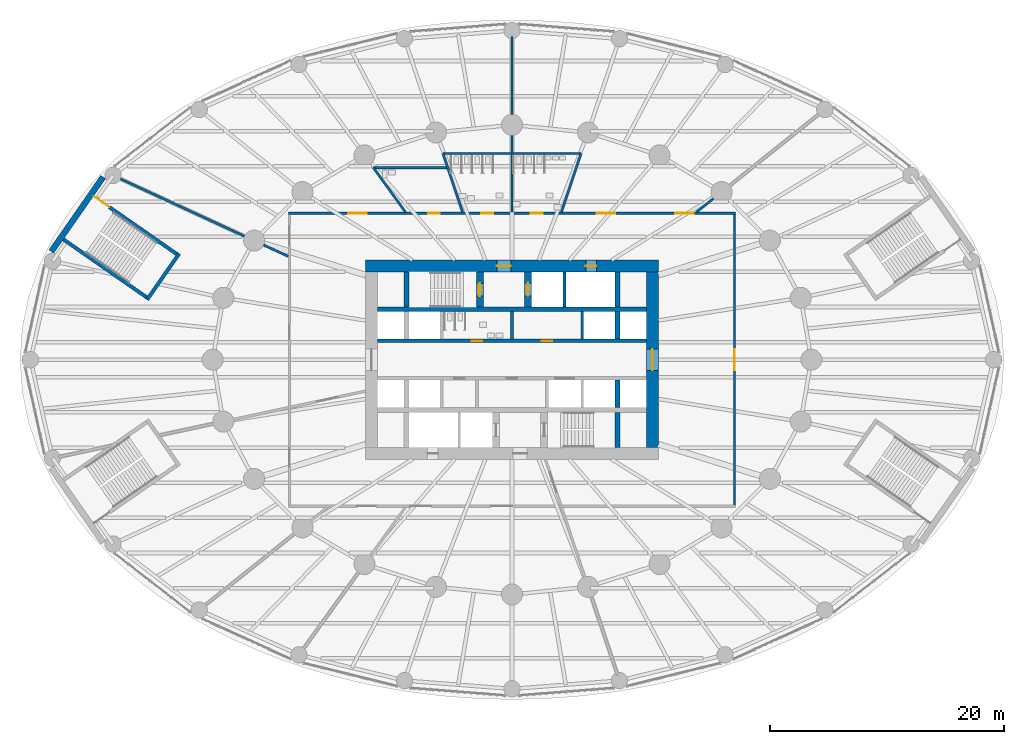
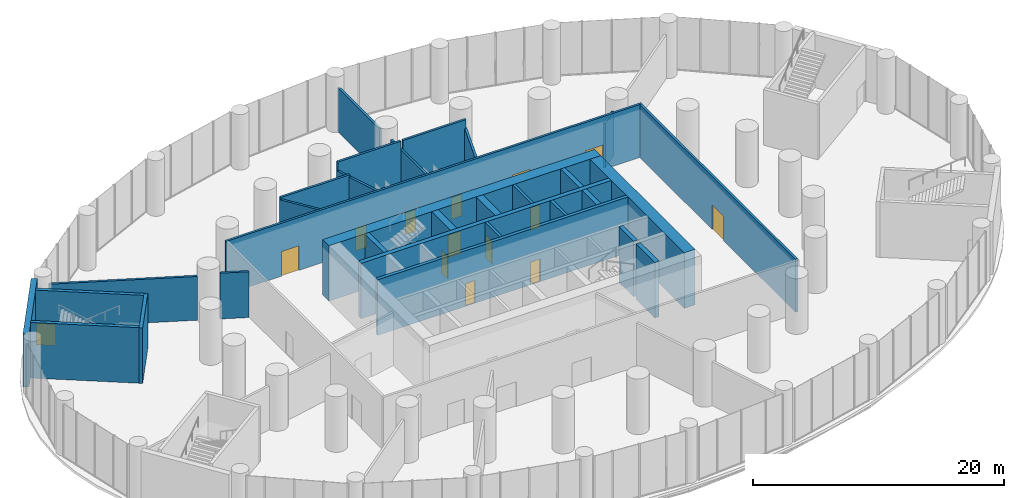
# One storey, part 17 of 21: 31 walls, 15 doors, 15 openings.
"""IFC4 building model written with IfcOpenShell, lengths in metres."""

from ifc_helpers import new_model, si_unit, direction, frame, frame_2d, origin, place, context, subcontext, project, spatial, rectangle, extrude, material, layer, layer_set, type_object, element, fill, save


model = new_model("IFC4")

# Units and contexts
model_context = context("Model", 3, precision=1e-05, world=origin(), true_north=direction((0.0, 1.0)))
body_context = subcontext(model_context, "Body", "Model", "MODEL_VIEW")
ifc_project = project(units=[si_unit("LENGTHUNIT", "METRE"), si_unit("AREAUNIT", "SQUARE_METRE"), si_unit("VOLUMEUNIT", "CUBIC_METRE"), si_unit("PLANEANGLEUNIT", "RADIAN"), si_unit("MASSUNIT", "GRAM", prefix="KILO")], contexts=[model_context])

# Site, building, storey
site_placement = place(None, origin())
site = spatial("IfcSite", under=ifc_project, at=site_placement, CompositionType="ELEMENT")
building_placement = place(site_placement, origin())
building = spatial("IfcBuilding", under=site, at=building_placement, Name="Hankou Lantern Tower", CompositionType="ELEMENT")
storey_placement = place(building_placement, frame((0.0, 0.0, 13.800048828125)))
storey = spatial("IfcBuildingStorey", under=building, at=storey_placement, Name="L02", CompositionType="ELEMENT", Elevation=13.800048828125)

# Wall, openings, doors
ifc_material_1 = material(Name="Concrete C60", Category="concrete")
ifc_layer_1 = layer(ifc_material_1, 1.0)
ifc_layer_set_1 = layer_set([ifc_layer_1], Name="Concrete C60")
wall_type_1 = type_object("IfcWallType", Name="CW1 CORE WALL 1000", PredefinedType="SHEAR", material=ifc_layer_set_1)
wall_1_placement = place(storey_placement, frame((-12.5, 8.0, 0.0), z_axis=(0.0, 0.0, 1.0), x_axis=(1.0, 0.0, 0.0)))
wall_1 = element("IfcWall", 1, at=wall_1_placement, inside=storey, type_object=wall_type_1, Name="Core wall north L02", PredefinedType="SHEAR", context=body_context, shape_type="SweptSolid", body=[
    extrude(rectangle(XDim=25.0, YDim=1.0, at=frame_2d((12.5, 0.0))), origin(), (0.0, 0.0, 1.0), 5.39990234375),
])
opening_1_placement = place(wall_1_placement, frame((11.199951171875, 0.0, 0.0)))
opening_1 = element("IfcOpeningElement", 2, at=opening_1_placement, cuts=wall_1, Name="Opening D5", PredefinedType="OPENING", context=body_context, shape_type="SweptSolid", body=[
    extrude(rectangle(XDim=1.199951171875, YDim=2.199951171875, at=frame_2d((0.60009765625, 1.10009765625))), frame((0.0, 0.510009765625, 0.0), z_axis=(0.0, -1.0, 0.0), x_axis=(1.0, 0.0, 0.0)), (0.0, 0.0, 1.0), 1.02001953125),
])
opening_2_placement = place(wall_1_placement, frame((18.800048828125, 0.0, 0.0)))
opening_2 = element("IfcOpeningElement", 3, at=opening_2_placement, cuts=wall_1, Name="Opening D7", PredefinedType="OPENING", context=body_context, shape_type="SweptSolid", body=[
    extrude(rectangle(XDim=0.89990234375, YDim=2.199951171875, at=frame_2d((0.449951171875, 1.10009765625))), frame((0.0, 0.510009765625, 0.0), z_axis=(0.0, -1.0, 0.0), x_axis=(1.0, 0.0, 0.0)), (0.0, 0.0, 1.0), 1.02001953125),
])
ifc_material_2 = material(Name="Steel door leaf", Category="steel")
door_type_1 = type_object("IfcDoorType", Name="D5 STAIR LOBBY DOOR 1200X2200", OperationType="SINGLE_SWING_LEFT", PredefinedType="DOOR", material=ifc_material_2)
door_1_placement = place(opening_1_placement, origin())
door_1 = element("IfcDoor", 4, at=door_1_placement, inside=storey, type_object=door_type_1, Name="Stair A lobby door", OperationType="SINGLE_SWING_LEFT", OverallHeight=2.199951171875, OverallWidth=1.199951171875, PredefinedType="DOOR", context=body_context, shape_type="SweptSolid", body=[
    extrude(rectangle(XDim=1.199951171875, YDim=2.199951171875, at=frame_2d((0.60009765625, 1.10009765625))), frame((0.0, 0.02490234375, 0.0), z_axis=(0.0, -1.0, 0.0), x_axis=(1.0, 0.0, 0.0)), (0.0, 0.0, 1.0), 0.050048828125),
])
fill(opening_1, door_1)
ifc_material_3 = material(Name="Steel door leaf", Category="steel")
door_type_2 = type_object("IfcDoorType", Name="D7 RISER DOOR 900X2200", OperationType="SINGLE_SWING_LEFT", PredefinedType="DOOR", material=ifc_material_3)
door_2_placement = place(opening_2_placement, origin())
door_2 = element("IfcDoor", 5, at=door_2_placement, inside=storey, type_object=door_type_2, Name="Riser N1 door", OperationType="SINGLE_SWING_RIGHT", OverallHeight=2.199951171875, OverallWidth=0.89990234375, PredefinedType="DOOR", context=body_context, shape_type="SweptSolid", body=[
    extrude(rectangle(XDim=0.89990234375, YDim=2.199951171875, at=frame_2d((0.449951171875, 1.10009765625))), frame((0.0, 0.02490234375, 0.0), z_axis=(0.0, -1.0, 0.0), x_axis=(1.0, 0.0, 0.0)), (0.0, 0.0, 1.0), 0.050048828125),
])
fill(opening_2, door_2)

# Wall, opening, door
wall_2_placement = place(storey_placement, frame((12.0, -7.5, 0.0), z_axis=(0.0, 0.0, 1.0), x_axis=(0.0, 1.0, 0.0)))
wall_2 = element("IfcWall", 6, at=wall_2_placement, inside=storey, type_object=wall_type_1, Name="Core wall east L02", PredefinedType="SHEAR", context=body_context, shape_type="SweptSolid", body=[
    extrude(rectangle(XDim=15.0, YDim=1.0, at=frame_2d((7.5, 0.0))), origin(), (0.0, 0.0, 1.0), 5.39990234375),
])
opening_3_placement = place(wall_2_placement, frame((6.60009765625, 0.0, 0.0)))
opening_3 = element("IfcOpeningElement", 7, at=opening_3_placement, cuts=wall_2, Name="Opening D6", PredefinedType="OPENING", context=body_context, shape_type="SweptSolid", body=[
    extrude(rectangle(XDim=1.800048828125, YDim=2.199951171875, at=frame_2d((0.89990234375, 1.10009765625))), frame((0.0, 0.510009765625, 0.0), z_axis=(0.0, -1.0, 0.0), x_axis=(1.0, 0.0, 0.0)), (0.0, 0.0, 1.0), 1.02001953125),
])
ifc_material_4 = material(Name="Steel door leaf", Category="steel")
door_type_3 = type_object("IfcDoorType", Name="D6 LIFT LOBBY DOOR 1800X2200", OperationType="DOUBLE_DOOR_DOUBLE_SWING", PredefinedType="DOOR", material=ifc_material_4)
door_3_placement = place(opening_3_placement, origin())
door_3 = element("IfcDoor", 8, at=door_3_placement, inside=storey, type_object=door_type_3, Name="Lift lobby east door", OperationType="DOUBLE_DOOR_DOUBLE_SWING", OverallHeight=2.199951171875, OverallWidth=1.800048828125, PredefinedType="DOOR", context=body_context, shape_type="SweptSolid", body=[
    extrude(rectangle(XDim=1.800048828125, YDim=2.199951171875, at=frame_2d((0.89990234375, 1.10009765625))), frame((0.0, 0.02490234375, 0.0), z_axis=(0.0, -1.0, 0.0), x_axis=(1.0, 0.0, 0.0)), (0.0, 0.0, 1.0), 0.050048828125),
])
fill(opening_3, door_3)

# Walls
ifc_material_5 = material(Name="Concrete C60", Category="concrete")
ifc_layer_2 = layer(ifc_material_5, 0.39990234375)
ifc_layer_set_2 = layer_set([ifc_layer_2], Name="Concrete C60")
wall_type_2 = type_object("IfcWallType", Name="CW4 CORE CROSS WALL 400", PredefinedType="SHEAR", material=ifc_layer_set_2)
wall_3_placement = place(storey_placement, frame((-11.5, 4.300048828125, 0.0), z_axis=(0.0, 0.0, 1.0), x_axis=(1.0, 0.0, 0.0)))
element("IfcWall", 9, at=wall_3_placement, inside=storey, type_object=wall_type_2, Name="Core band wall north L02", PredefinedType="SHEAR", context=body_context, shape_type="SweptSolid", body=[
    extrude(rectangle(XDim=23.0, YDim=0.39990234375, at=frame_2d((11.5, 0.0))), origin(), (0.0, 0.0, 1.0), 5.39990234375),
])
for number, where, z_axis, x_axis, name in (
    (10, (-9.0, 4.5, 0.0), (0.0, 0.0, 1.0), (0.0, 1.0, 0.0), "Core strip wall L02"),
    (11, (9.0, 4.5, 0.0), (0.0, 0.0, 1.0), (0.0, 1.0, 0.0), "Core strip wall L02"),
):
    element("IfcWall", number, at=place(storey_placement, frame(where, z_axis=z_axis, x_axis=x_axis)), inside=storey, type_object=wall_type_2, Name=name, PredefinedType="SHEAR", context=body_context, shape_type="SweptSolid", body=[
        extrude(rectangle(XDim=3.0, YDim=0.39990234375, at=frame_2d((1.5, 0.0))), origin(), (0.0, 0.0, 1.0), 5.39990234375),
    ])
for number, where, z_axis, x_axis, name in (
    (12, (9.0, 1.75, 0.0), (0.0, 0.0, 1.0), (0.0, 1.0, 0.0), "Core strip wall L02"),
    (13, (9.0, -4.10009765625, 0.0), (0.0, 0.0, 1.0), (0.0, 1.0, 0.0), "Core strip wall L02"),
):
    element("IfcWall", number, at=place(storey_placement, frame(where, z_axis=z_axis, x_axis=x_axis)), inside=storey, type_object=wall_type_2, Name=name, PredefinedType="SHEAR", context=body_context, shape_type="SweptSolid", body=[
        extrude(rectangle(XDim=2.35009765625, YDim=0.39990234375, at=frame_2d((1.175048828125, 0.0))), origin(), (0.0, 0.0, 1.0), 5.39990234375),
    ])
wall_4_placement = place(storey_placement, frame((9.0, -7.5, 0.0), z_axis=(0.0, 0.0, 1.0), x_axis=(0.0, 1.0, 0.0)))
element("IfcWall", 14, at=wall_4_placement, inside=storey, type_object=wall_type_2, Name="Core strip wall L02", PredefinedType="SHEAR", context=body_context, shape_type="SweptSolid", body=[
    extrude(rectangle(XDim=3.0, YDim=0.39990234375, at=frame_2d((1.5, 0.0))), origin(), (0.0, 0.0, 1.0), 5.39990234375),
])

# Wall, openings, doors
ifc_material_6 = material(Name="Concrete C60", Category="concrete")
ifc_layer_3 = layer(ifc_material_6, 0.300048828125)
ifc_layer_set_3 = layer_set([ifc_layer_3], Name="Concrete C60")
wall_type_3 = type_object("IfcWallType", Name="CW5 LIFT LOBBY WALL 300", PredefinedType="SHEAR", material=ifc_layer_set_3)
wall_5_placement = place(storey_placement, frame((-11.5, 1.60009765625, 0.0), z_axis=(0.0, 0.0, 1.0), x_axis=(1.0, 0.0, 0.0)))
wall_5 = element("IfcWall", 15, at=wall_5_placement, inside=storey, type_object=wall_type_3, Name="Lift lobby wall north L02", PredefinedType="SHEAR", context=body_context, shape_type="SweptSolid", body=[
    extrude(rectangle(XDim=23.0, YDim=0.300048828125, at=frame_2d((11.5, 0.0))), origin(), (0.0, 0.0, 1.0), 5.39990234375),
])
opening_4_placement = place(wall_5_placement, frame((8.050048828125, 0.0, 0.0)))
opening_4 = element("IfcOpeningElement", 16, at=opening_4_placement, cuts=wall_5, Name="Opening D30", PredefinedType="OPENING", context=body_context, shape_type="SweptSolid", body=[
    extrude(rectangle(XDim=0.89990234375, YDim=2.199951171875, at=frame_2d((0.449951171875, 1.10009765625))), frame((0.0, 0.159912109375, 0.0), z_axis=(0.0, -1.0, 0.0), x_axis=(1.0, 0.0, 0.0)), (0.0, 0.0, 1.0), 0.320068359375),
])
opening_5_placement = place(wall_5_placement, frame((14.050048828125, 0.0, 0.0)))
opening_5 = element("IfcOpeningElement", 17, at=opening_5_placement, cuts=wall_5, Name="Opening D30", PredefinedType="OPENING", context=body_context, shape_type="SweptSolid", body=[
    extrude(rectangle(XDim=0.89990234375, YDim=2.199951171875, at=frame_2d((0.449951171875, 1.10009765625))), frame((0.0, 0.159912109375, 0.0), z_axis=(0.0, -1.0, 0.0), x_axis=(1.0, 0.0, 0.0)), (0.0, 0.0, 1.0), 0.320068359375),
])
ifc_material_7 = material(Name="Steel door leaf", Category="steel")
door_type_4 = type_object("IfcDoorType", Name="D30 CORE ROOM DOOR 900X2200", OperationType="SINGLE_SWING_LEFT", PredefinedType="DOOR", material=ifc_material_7)
door_4_placement = place(opening_4_placement, origin())
door_4 = element("IfcDoor", 18, at=door_4_placement, inside=storey, type_object=door_type_4, Name="Staff WC door", OperationType="SINGLE_SWING_LEFT", OverallHeight=2.199951171875, OverallWidth=0.89990234375, PredefinedType="DOOR", context=body_context, shape_type="SweptSolid", body=[
    extrude(rectangle(XDim=0.89990234375, YDim=2.199951171875, at=frame_2d((0.449951171875, 1.10009765625))), frame((0.0, 0.02490234375, 0.0), z_axis=(0.0, -1.0, 0.0), x_axis=(1.0, 0.0, 0.0)), (0.0, 0.0, 1.0), 0.050048828125),
])
fill(opening_4, door_4)
door_5_placement = place(opening_5_placement, origin())
door_5 = element("IfcDoor", 19, at=door_5_placement, inside=storey, type_object=door_type_4, Name="Engineering store door", OperationType="SINGLE_SWING_RIGHT", OverallHeight=2.199951171875, OverallWidth=0.89990234375, PredefinedType="DOOR", context=body_context, shape_type="SweptSolid", body=[
    extrude(rectangle(XDim=0.89990234375, YDim=2.199951171875, at=frame_2d((0.449951171875, 1.10009765625))), frame((0.0, 0.02490234375, 0.0), z_axis=(0.0, -1.0, 0.0), x_axis=(1.0, 0.0, 0.0)), (0.0, 0.0, 1.0), 0.050048828125),
])
fill(opening_5, door_5)

# Wall, opening, door
ifc_material_8 = material(Name="Concrete C60", Category="concrete")
ifc_layer_4 = layer(ifc_material_8, 0.60009765625)
ifc_layer_set_4 = layer_set([ifc_layer_4], Name="Concrete C60")
wall_type_4 = type_object("IfcWallType", Name="CW6 STAIR AND SHAFT WALL 600", PredefinedType="SHEAR", material=ifc_layer_set_4)
wall_6_placement = place(storey_placement, frame((-2.75, 4.5, 0.0), z_axis=(0.0, 0.0, 1.0), x_axis=(0.0, 1.0, 0.0)))
wall_6 = element("IfcWall", 20, at=wall_6_placement, inside=storey, type_object=wall_type_4, Name="Stair wall L02", PredefinedType="SHEAR", context=body_context, shape_type="SweptSolid", body=[
    extrude(rectangle(XDim=3.0, YDim=0.60009765625, at=frame_2d((1.5, 0.0))), origin(), (0.0, 0.0, 1.0), 5.39990234375),
])
opening_6_placement = place(wall_6_placement, frame((0.925048828125, 0.0, 0.0)))
opening_6 = element("IfcOpeningElement", 21, at=opening_6_placement, cuts=wall_6, Name="Opening D4", PredefinedType="OPENING", context=body_context, shape_type="SweptSolid", body=[
    extrude(rectangle(XDim=1.10009765625, YDim=2.199951171875, at=frame_2d((0.550048828125, 1.10009765625))), frame((0.0, 0.31005859375, 0.0), z_axis=(0.0, -1.0, 0.0), x_axis=(1.0, 0.0, 0.0)), (0.0, 0.0, 1.0), 0.6201171875),
])
ifc_material_9 = material(Name="Steel door leaf", Category="steel")
door_type_5 = type_object("IfcDoorType", Name="D4 STAIR DOOR 1100X2200", OperationType="SINGLE_SWING_LEFT", PredefinedType="DOOR", material=ifc_material_9)
door_6_placement = place(opening_6_placement, origin())
door_6 = element("IfcDoor", 22, at=door_6_placement, inside=storey, type_object=door_type_5, Name="Stair A door", OperationType="SINGLE_SWING_LEFT", OverallHeight=2.199951171875, OverallWidth=1.10009765625, PredefinedType="DOOR", context=body_context, shape_type="SweptSolid", body=[
    extrude(rectangle(XDim=1.10009765625, YDim=2.199951171875, at=frame_2d((0.550048828125, 1.10009765625))), frame((0.0, 0.02490234375, 0.0), z_axis=(0.0, -1.0, 0.0), x_axis=(1.0, 0.0, 0.0)), (0.0, 0.0, 1.0), 0.050048828125),
])
fill(opening_6, door_6)

wall_7_placement = place(storey_placement, frame((1.35009765625, 4.5, 0.0), z_axis=(0.0, 0.0, 1.0), x_axis=(0.0, 1.0, 0.0)))
wall_7 = element("IfcWall", 23, at=wall_7_placement, inside=storey, type_object=wall_type_4, Name="Firefighting lift shaft wall L02", PredefinedType="SHEAR", context=body_context, shape_type="SweptSolid", body=[
    extrude(rectangle(XDim=3.0, YDim=0.60009765625, at=frame_2d((1.5, 0.0))), origin(), (0.0, 0.0, 1.0), 5.39990234375),
])
opening_7_placement = place(wall_7_placement, frame((0.949951171875, 0.0, 0.0)))
opening_7 = element("IfcOpeningElement", 24, at=opening_7_placement, cuts=wall_7, Name="Opening LD2", PredefinedType="OPENING", context=body_context, shape_type="SweptSolid", body=[
    extrude(rectangle(XDim=1.10009765625, YDim=2.199951171875, at=frame_2d((0.550048828125, 1.10009765625))), frame((0.0, 0.31005859375, 0.0), z_axis=(0.0, -1.0, 0.0), x_axis=(1.0, 0.0, 0.0)), (0.0, 0.0, 1.0), 0.6201171875),
])
ifc_material_10 = material(Name="Steel door leaf", Category="steel")
door_type_6 = type_object("IfcDoorType", Name="LD2 FIREFIGHTING LIFT LANDING DOOR 1100X2200", OperationType="DOUBLE_DOOR_SLIDING", PredefinedType="DOOR", material=ifc_material_10)
door_7_placement = place(opening_7_placement, origin())
door_7 = element("IfcDoor", 25, at=door_7_placement, inside=storey, type_object=door_type_6, Name="Firefighting lift FL1 landing door", OperationType="DOUBLE_DOOR_SLIDING", OverallHeight=2.199951171875, OverallWidth=1.10009765625, PredefinedType="DOOR", context=body_context, shape_type="SweptSolid", body=[
    extrude(rectangle(XDim=1.10009765625, YDim=2.199951171875, at=frame_2d((0.550048828125, 1.10009765625))), frame((0.0, 0.02490234375, 0.0), z_axis=(0.0, -1.0, 0.0), x_axis=(1.0, 0.0, 0.0)), (0.0, 0.0, 1.0), 0.050048828125),
])
fill(opening_7, door_7)

ifc_material_11 = material(Name="Concrete C50", Category="concrete")
ifc_layer_5 = layer(ifc_material_11, 0.300048828125)
ifc_layer_set_5 = layer_set([ifc_layer_5], Name="Concrete C50")
wall_type_5 = type_object("IfcWallType", Name="CW7 PODIUM STAIR WALL 300", PredefinedType="SHEAR", material=ifc_layer_set_5)
wall_8_placement = place(storey_placement, frame((-35.7294921875, 13.968017578125, 0.0), z_axis=(0.0, 0.0, 1.0), x_axis=(0.82092761123, -0.571032273274, 0.0)))
wall_8 = element("IfcWall", 26, at=wall_8_placement, inside=storey, type_object=wall_type_5, Name="Podium stair P2 wall", PredefinedType="SHEAR", context=body_context, shape_type="SweptSolid", body=[
    extrude(rectangle(XDim=8.659912109375, YDim=0.300048828125, at=frame_2d((4.330078125, 0.0))), origin(), (0.0, 0.0, 1.0), 5.39990234375),
])
opening_8_placement = place(wall_8_placement, frame((0.050048828125, 0.0, 0.0)))
opening_8 = element("IfcOpeningElement", 27, at=opening_8_placement, cuts=wall_8, Name="Opening D16", PredefinedType="OPENING", context=body_context, shape_type="SweptSolid", body=[
    extrude(rectangle(XDim=1.60009765625, YDim=2.10009765625, at=frame_2d((0.800048828125, 1.050048828125))), frame((0.0, 0.159912109375, 0.0), z_axis=(0.0, -1.0, 0.0), x_axis=(1.0, 0.0, 0.0)), (0.0, 0.0, 1.0), 0.320068359375),
])
ifc_material_12 = material(Name="Steel door leaf", Category="steel")
door_type_7 = type_object("IfcDoorType", Name="D16 PODIUM STAIR DOOR 1600X2100", OperationType="SINGLE_SWING_LEFT", PredefinedType="DOOR", material=ifc_material_12)
door_8_placement = place(opening_8_placement, origin())
door_8 = element("IfcDoor", 28, at=door_8_placement, inside=storey, type_object=door_type_7, Name="Podium stair P2 door", OperationType="SINGLE_SWING_LEFT", OverallHeight=2.10009765625, OverallWidth=1.60009765625, PredefinedType="DOOR", context=body_context, shape_type="SweptSolid", body=[
    extrude(rectangle(XDim=1.60009765625, YDim=2.10009765625, at=frame_2d((0.800048828125, 1.050048828125))), frame((0.0, 0.02490234375, 0.0), z_axis=(0.0, -1.0, 0.0), x_axis=(1.0, 0.0, 0.0)), (0.0, 0.0, 1.0), 0.050048828125),
])
fill(opening_8, door_8)

# Walls
wall_9_placement = place(storey_placement, frame((-38.29931640625, 10.273681640625, 0.0), z_axis=(0.0, 0.0, 1.0), x_axis=(0.820936803751, -0.571019057692, 0.0)))
element("IfcWall", 29, at=wall_9_placement, inside=storey, type_object=wall_type_5, Name="Podium stair P2 wall", PredefinedType="SHEAR", context=body_context, shape_type="SweptSolid", body=[
    extrude(rectangle(XDim=8.66015625, YDim=0.300048828125, at=frame_2d((4.330078125, 0.0))), origin(), (0.0, 0.0, 1.0), 5.39990234375),
])
wall_10_placement = place(storey_placement, frame((-28.41162109375, 9.060302734375, 0.0), z_axis=(0.0, 0.0, 1.0), x_axis=(-0.571036173178, -0.820924898467, 0.0)))
element("IfcWall", 30, at=wall_10_placement, inside=storey, type_object=wall_type_5, Name="Podium stair P2 wall", PredefinedType="SHEAR", context=body_context, shape_type="SweptSolid", body=[
    extrude(rectangle(XDim=4.800048828125, YDim=0.300048828125, at=frame_2d((2.39990234375, 0.0))), origin(), (0.0, 0.0, 1.0), 5.39990234375),
])
ifc_material_13 = material(Name="Granite cladding on reinforced concrete C50", Category="masonry")
ifc_layer_6 = layer(ifc_material_13, 0.5)
ifc_layer_set_6 = layer_set([ifc_layer_6], Name="Granite cladding on reinforced concrete C50")
wall_type_6 = type_object("IfcWallType", Name="EW2 STONE PORTAL WALL 500", PredefinedType="SOLIDWALL", material=ifc_layer_set_6)
wall_11_placement = place(storey_placement, frame((-34.90478515625, 15.591552734375, 0.0), z_axis=(0.0, 0.0, 1.0), x_axis=(-0.571029335057, -0.820929655028, 0.0)))
element("IfcWall", 31, at=wall_11_placement, inside=storey, type_object=wall_type_6, Name="Portal wall R11 L02", PredefinedType="SOLIDWALL", context=body_context, shape_type="SweptSolid", body=[
    extrude(rectangle(XDim=7.732666015625, YDim=0.5, at=frame_2d((3.8662109375, 0.0))), origin(), (0.0, 0.0, 1.0), 5.14990234375),
])

# Wall, openings, doors
ifc_material_14 = material(Name="Masonry lightweight concrete block", Category="masonry")
ifc_layer_7 = layer(ifc_material_14, 0.199951171875)
ifc_layer_set_7 = layer_set([ifc_layer_7], Name="Masonry lightweight concrete block")
wall_type_7 = type_object("IfcWallType", Name="IW2 CORRIDOR WALL 200", PredefinedType="PARTITIONING", material=ifc_layer_set_7)
wall_12_placement = place(storey_placement, frame((-19.10009765625, 12.5, 0.0), z_axis=(0.0, 0.0, 1.0), x_axis=(1.0, 0.0, 0.0)))
wall_12 = element("IfcWall", 32, at=wall_12_placement, inside=storey, type_object=wall_type_7, Name="Foyer wall north", PredefinedType="PARTITIONING", context=body_context, shape_type="SweptSolid", body=[
    extrude(rectangle(XDim=38.2001953125, YDim=0.199951171875, at=frame_2d((19.10009765625, 0.0))), origin(), (0.0, 0.0, 1.0), 5.14990234375),
])
opening_9_placement = place(wall_12_placement, frame((26.3203125, 0.0, 0.0)))
opening_9 = element("IfcOpeningElement", 33, at=opening_9_placement, cuts=wall_12, Name="Opening D29", PredefinedType="OPENING", context=body_context, shape_type="SweptSolid", body=[
    extrude(rectangle(XDim=1.60009765625, YDim=2.39990234375, at=frame_2d((0.800048828125, 1.199951171875))), frame((0.0, 0.10986328125, 0.0), z_axis=(0.0, -1.0, 0.0), x_axis=(1.0, 0.0, 0.0)), (0.0, 0.0, 1.0), 0.219970703125),
])
opening_10_placement = place(wall_12_placement, frame((20.710205078125, 0.0, 0.0)))
opening_10 = element("IfcOpeningElement", 34, at=opening_10_placement, cuts=wall_12, Name="Opening D22", PredefinedType="OPENING", context=body_context, shape_type="SweptSolid", body=[
    extrude(rectangle(XDim=1.0, YDim=2.10009765625, at=frame_2d((0.5, 1.050048828125))), frame((0.0, 0.10986328125, 0.0), z_axis=(0.0, -1.0, 0.0), x_axis=(1.0, 0.0, 0.0)), (0.0, 0.0, 1.0), 0.219970703125),
])
opening_11_placement = place(wall_12_placement, frame((16.489990234375, 0.0, 0.0)))
opening_11 = element("IfcOpeningElement", 35, at=opening_11_placement, cuts=wall_12, Name="Opening D22", PredefinedType="OPENING", context=body_context, shape_type="SweptSolid", body=[
    extrude(rectangle(XDim=1.0, YDim=2.10009765625, at=frame_2d((0.5, 1.050048828125))), frame((0.0, 0.10986328125, 0.0), z_axis=(0.0, -1.0, 0.0), x_axis=(1.0, 0.0, 0.0)), (0.0, 0.0, 1.0), 0.219970703125),
])
opening_12_placement = place(wall_12_placement, frame((11.943359375, 0.0, 0.0)))
opening_12 = element("IfcOpeningElement", 36, at=opening_12_placement, cuts=wall_12, Name="Opening D11", PredefinedType="OPENING", context=body_context, shape_type="SweptSolid", body=[
    extrude(rectangle(XDim=1.0, YDim=2.199951171875, at=frame_2d((0.5, 1.10009765625))), frame((0.0, 0.10986328125, 0.0), z_axis=(0.0, -1.0, 0.0), x_axis=(1.0, 0.0, 0.0)), (0.0, 0.0, 1.0), 0.219970703125),
])
opening_13_placement = place(wall_12_placement, frame((5.10009765625, 0.0, 0.0)))
opening_13 = element("IfcOpeningElement", 37, at=opening_13_placement, cuts=wall_12, Name="Opening D29", PredefinedType="OPENING", context=body_context, shape_type="SweptSolid", body=[
    extrude(rectangle(XDim=1.60009765625, YDim=2.39990234375, at=frame_2d((0.800048828125, 1.199951171875))), frame((0.0, 0.10986328125, 0.0), z_axis=(0.0, -1.0, 0.0), x_axis=(1.0, 0.0, 0.0)), (0.0, 0.0, 1.0), 0.219970703125),
])
opening_14_placement = place(wall_12_placement, frame((33.020263671875, 0.0, 0.0)))
opening_14 = element("IfcOpeningElement", 38, at=opening_14_placement, cuts=wall_12, Name="Opening D29", PredefinedType="OPENING", context=body_context, shape_type="SweptSolid", body=[
    extrude(rectangle(XDim=1.60009765625, YDim=2.39990234375, at=frame_2d((0.800048828125, 1.199951171875))), frame((0.0, 0.10986328125, 0.0), z_axis=(0.0, -1.0, 0.0), x_axis=(1.0, 0.0, 0.0)), (0.0, 0.0, 1.0), 0.219970703125),
])
ifc_material_15 = material(Name="Timber door leaf", Category="wood")
door_type_8 = type_object("IfcDoorType", Name="D11 ACCESSIBLE WC DOOR 1000X2200", OperationType="SLIDING_TO_LEFT", PredefinedType="DOOR", material=ifc_material_15)
door_9_placement = place(opening_12_placement, origin())
door_9 = element("IfcDoor", 39, at=door_9_placement, inside=storey, type_object=door_type_8, Name="Accessible WC door", OperationType="SLIDING_TO_LEFT", OverallHeight=2.199951171875, OverallWidth=1.0, PredefinedType="DOOR", context=body_context, shape_type="SweptSolid", body=[
    extrude(rectangle(XDim=1.0, YDim=2.199951171875, at=frame_2d((0.5, 1.10009765625))), frame((0.0, 0.02490234375, 0.0), z_axis=(0.0, -1.0, 0.0), x_axis=(1.0, 0.0, 0.0)), (0.0, 0.0, 1.0), 0.050048828125),
])
fill(opening_12, door_9)
ifc_material_16 = material(Name="Timber door leaf", Category="wood")
door_type_9 = type_object("IfcDoorType", Name="D22 WIDE WC DOOR 1000X2100", OperationType="SINGLE_SWING_LEFT", PredefinedType="DOOR", material=ifc_material_16)
door_10_placement = place(opening_10_placement, origin())
door_10 = element("IfcDoor", 40, at=door_10_placement, inside=storey, type_object=door_type_9, Name="Male WC door", OperationType="SINGLE_SWING_RIGHT", OverallHeight=2.10009765625, OverallWidth=1.0, PredefinedType="DOOR", context=body_context, shape_type="SweptSolid", body=[
    extrude(rectangle(XDim=1.0, YDim=2.10009765625, at=frame_2d((0.5, 1.050048828125))), frame((0.0, 0.02490234375, 0.0), z_axis=(0.0, -1.0, 0.0), x_axis=(1.0, 0.0, 0.0)), (0.0, 0.0, 1.0), 0.050048828125),
])
fill(opening_10, door_10)
door_11_placement = place(opening_11_placement, origin())
door_11 = element("IfcDoor", 41, at=door_11_placement, inside=storey, type_object=door_type_9, Name="Female WC door", OperationType="SINGLE_SWING_LEFT", OverallHeight=2.10009765625, OverallWidth=1.0, PredefinedType="DOOR", context=body_context, shape_type="SweptSolid", body=[
    extrude(rectangle(XDim=1.0, YDim=2.10009765625, at=frame_2d((0.5, 1.050048828125))), frame((0.0, 0.02490234375, 0.0), z_axis=(0.0, -1.0, 0.0), x_axis=(1.0, 0.0, 0.0)), (0.0, 0.0, 1.0), 0.050048828125),
])
fill(opening_11, door_11)
ifc_material_17 = material(Name="Steel door leaf", Category="steel")
door_type_10 = type_object("IfcDoorType", Name="D29 LOUNGE DOUBLE DOOR 1600X2400", OperationType="DOUBLE_DOOR_DOUBLE_SWING", PredefinedType="DOOR", material=ifc_material_17)
door_12_placement = place(opening_9_placement, origin())
door_12 = element("IfcDoor", 42, at=door_12_placement, inside=storey, type_object=door_type_10, Name="Conference business centre door", OperationType="DOUBLE_DOOR_DOUBLE_SWING", OverallHeight=2.39990234375, OverallWidth=1.60009765625, PredefinedType="DOOR", context=body_context, shape_type="SweptSolid", body=[
    extrude(rectangle(XDim=1.60009765625, YDim=2.39990234375, at=frame_2d((0.800048828125, 1.199951171875))), frame((0.0, 0.02490234375, 0.0), z_axis=(0.0, -1.0, 0.0), x_axis=(1.0, 0.0, 0.0)), (0.0, 0.0, 1.0), 0.050048828125),
])
fill(opening_9, door_12)
door_13_placement = place(opening_13_placement, origin())
door_13 = element("IfcDoor", 43, at=door_13_placement, inside=storey, type_object=door_type_10, Name="Meeting room 202 door", OperationType="DOUBLE_DOOR_DOUBLE_SWING", OverallHeight=2.39990234375, OverallWidth=1.60009765625, PredefinedType="DOOR", context=body_context, shape_type="SweptSolid", body=[
    extrude(rectangle(XDim=1.60009765625, YDim=2.39990234375, at=frame_2d((0.800048828125, 1.199951171875))), frame((0.0, 0.02490234375, 0.0), z_axis=(0.0, -1.0, 0.0), x_axis=(1.0, 0.0, 0.0)), (0.0, 0.0, 1.0), 0.050048828125),
])
fill(opening_13, door_13)
door_14_placement = place(opening_14_placement, origin())
door_14 = element("IfcDoor", 44, at=door_14_placement, inside=storey, type_object=door_type_10, Name="Conference business centre second door", OperationType="DOUBLE_DOOR_DOUBLE_SWING", OverallHeight=2.39990234375, OverallWidth=1.60009765625, PredefinedType="DOOR", context=body_context, shape_type="SweptSolid", body=[
    extrude(rectangle(XDim=1.60009765625, YDim=2.39990234375, at=frame_2d((0.800048828125, 1.199951171875))), frame((0.0, 0.02490234375, 0.0), z_axis=(0.0, -1.0, 0.0), x_axis=(1.0, 0.0, 0.0)), (0.0, 0.0, 1.0), 0.050048828125),
])
fill(opening_14, door_14)

# Wall, opening, door
wall_13_placement = place(storey_placement, frame((19.0, -12.39990234375, 0.0), z_axis=(0.0, 0.0, 1.0), x_axis=(0.0, 1.0, 0.0)))
wall_13 = element("IfcWall", 45, at=wall_13_placement, inside=storey, type_object=wall_type_7, Name="Foyer wall east", PredefinedType="PARTITIONING", context=body_context, shape_type="SweptSolid", body=[
    extrude(rectangle(XDim=24.7998046875, YDim=0.199951171875, at=frame_2d((12.39990234375, 0.0))), origin(), (0.0, 0.0, 1.0), 5.14990234375),
])
opening_15_placement = place(wall_13_placement, frame((11.5, 0.0, 0.0)))
opening_15 = element("IfcOpeningElement", 46, at=opening_15_placement, cuts=wall_13, Name="Opening D8", PredefinedType="OPENING", context=body_context, shape_type="SweptSolid", body=[
    extrude(rectangle(XDim=1.800048828125, YDim=2.39990234375, at=frame_2d((0.89990234375, 1.199951171875))), frame((0.0, 0.10986328125, 0.0), z_axis=(0.0, -1.0, 0.0), x_axis=(1.0, 0.0, 0.0)), (0.0, 0.0, 1.0), 0.219970703125),
])
ifc_material_18 = material(Name="Steel door leaf", Category="steel")
door_type_11 = type_object("IfcDoorType", Name="D8 DOUBLE DOOR 1800X2400", OperationType="DOUBLE_DOOR_DOUBLE_SWING", PredefinedType="DOOR", material=ifc_material_18)
door_15_placement = place(opening_15_placement, origin())
door_15 = element("IfcDoor", 47, at=door_15_placement, inside=storey, type_object=door_type_11, Name="All-day restaurant door", OperationType="DOUBLE_DOOR_DOUBLE_SWING", OverallHeight=2.39990234375, OverallWidth=1.800048828125, PredefinedType="DOOR", context=body_context, shape_type="SweptSolid", body=[
    extrude(rectangle(XDim=1.800048828125, YDim=2.39990234375, at=frame_2d((0.89990234375, 1.199951171875))), frame((0.0, 0.02490234375, 0.0), z_axis=(0.0, -1.0, 0.0), x_axis=(1.0, 0.0, 0.0)), (0.0, 0.0, 1.0), 0.050048828125),
])
fill(opening_15, door_15)

# Walls
ifc_material_19 = material(Name="Masonry lightweight concrete block", Category="masonry")
ifc_layer_8 = layer(ifc_material_19, 0.199951171875)
ifc_layer_set_8 = layer_set([ifc_layer_8], Name="Masonry lightweight concrete block")
wall_type_8 = type_object("IfcWallType", Name="IW8 PARTITION 200", PredefinedType="PARTITIONING", material=ifc_layer_set_8)
wall_14_placement = place(storey_placement, frame((15.75, 12.60009765625, 0.0), z_axis=(0.0, 0.0, 1.0), x_axis=(0.780881734892, 0.6246788904, 0.0)))
element("IfcWall", 48, at=wall_14_placement, inside=storey, type_object=wall_type_8, Name="Partition R04", PredefinedType="PARTITIONING", context=body_context, shape_type="SweptSolid", body=[
    extrude(rectangle(XDim=1.8427734375, YDim=0.199951171875, at=frame_2d((0.92138671875, 0.0))), origin(), (0.0, 0.0, 1.0), 4.300048828125),
])
wall_15_placement = place(storey_placement, frame((4.22021484375, 12.60009765625, 0.0), z_axis=(0.0, 0.0, 1.0), x_axis=(0.317574790206, 0.948233226915, 0.0)))
element("IfcWall", 49, at=wall_15_placement, inside=storey, type_object=wall_type_8, Name="Partition R06", PredefinedType="PARTITIONING", context=body_context, shape_type="SweptSolid", body=[
    extrude(rectangle(XDim=5.27294921875, YDim=0.199951171875, at=frame_2d((2.636474609375, 0.0))), origin(), (0.0, 0.0, 1.0), 4.300048828125),
])
wall_16_placement = place(storey_placement, frame((0.0, 12.60009765625, 0.0), z_axis=(0.0, 0.0, 1.0), x_axis=(0.0, 1.0, 0.0)))
element("IfcWall", 50, at=wall_16_placement, inside=storey, type_object=wall_type_8, Name="Partition R07", PredefinedType="PARTITIONING", context=body_context, shape_type="SweptSolid", body=[
    extrude(rectangle(XDim=6.5498046875, YDim=0.199951171875, at=frame_2d((3.27490234375, 0.0))), origin(), (0.0, 0.0, 1.0), 4.300048828125),
])
wall_17_placement = place(storey_placement, frame((0.0, 20.949951171875, 0.0), z_axis=(0.0, 0.0, 1.0), x_axis=(0.0, 1.0, 0.0)))
element("IfcWall", 51, at=wall_17_placement, inside=storey, type_object=wall_type_8, Name="Partition R07", PredefinedType="PARTITIONING", context=body_context, shape_type="SweptSolid", body=[
    extrude(rectangle(XDim=6.650146484375, YDim=0.199951171875, at=frame_2d((3.3251953125, 0.0))), origin(), (0.0, 0.0, 1.0), 4.25),
])
wall_18_placement = place(storey_placement, frame((-4.22021484375, 12.60009765625, 0.0), z_axis=(0.0, 0.0, 1.0), x_axis=(-0.317574790206, 0.948233226915, 0.0)))
element("IfcWall", 52, at=wall_18_placement, inside=storey, type_object=wall_type_8, Name="Partition R08", PredefinedType="PARTITIONING", context=body_context, shape_type="SweptSolid", body=[
    extrude(rectangle(XDim=5.27294921875, YDim=0.199951171875, at=frame_2d((2.636474609375, 0.0))), origin(), (0.0, 0.0, 1.0), 4.300048828125),
])
wall_19_placement = place(storey_placement, frame((-9.09326171875, 12.60009765625, 0.0), z_axis=(0.0, 0.0, 1.0), x_axis=(-0.585228020299, 0.810868771292, 0.0)))
element("IfcWall", 53, at=wall_19_placement, inside=storey, type_object=wall_type_8, Name="Partition R09", PredefinedType="PARTITIONING", context=body_context, shape_type="SweptSolid", body=[
    extrude(rectangle(XDim=4.68603515625, YDim=0.199951171875, at=frame_2d((2.343017578125, 0.0))), origin(), (0.0, 0.0, 1.0), 4.300048828125),
])
wall_20_placement = place(storey_placement, frame((-19.10009765625, 8.822021484375, 0.0), z_axis=(0.0, 0.0, 1.0), x_axis=(-0.907872952542, 0.419245395971, 0.0)))
element("IfcWall", 54, at=wall_20_placement, inside=storey, type_object=wall_type_8, Name="Partition R11", PredefinedType="PARTITIONING", context=body_context, shape_type="SweptSolid", body=[
    extrude(rectangle(XDim=2.3154296875, YDim=0.199951171875, at=frame_2d((1.15771484375, 0.0))), origin(), (0.0, 0.0, 1.0), 4.449951171875),
])
wall_21_placement = place(storey_placement, frame((-22.836181640625, 10.547607421875, 0.0), z_axis=(0.0, 0.0, 1.0), x_axis=(-0.90784065247, 0.419315334471, 0.0)))
element("IfcWall", 55, at=wall_21_placement, inside=storey, type_object=wall_type_8, Name="Partition R11", PredefinedType="PARTITIONING", context=body_context, shape_type="SweptSolid", body=[
    extrude(rectangle(XDim=11.859619140625, YDim=0.199951171875, at=frame_2d((5.9296875, 0.0))), origin(), (0.0, 0.0, 1.0), 4.25),
])
for number, where, z_axis, x_axis, name in (
    (56, (5.894775390625, 17.60009765625, 0.0), (0.0, 0.0, 1.0), (-1.0, 0.0, 0.0), "Partition WC back wall"),
    (57, (-0.10009765625, 17.60009765625, 0.0), (0.0, 0.0, 1.0), (-1.0, 0.0, 0.0), "Partition WC back wall"),
):
    element("IfcWall", number, at=place(storey_placement, frame(where, z_axis=z_axis, x_axis=x_axis)), inside=storey, type_object=wall_type_8, Name=name, PredefinedType="PARTITIONING", context=body_context, shape_type="SweptSolid", body=[
        extrude(rectangle(XDim=5.794677734375, YDim=0.199951171875, at=frame_2d((2.8974609375, 0.0))), origin(), (0.0, 0.0, 1.0), 5.14990234375),
    ])
wall_22_placement = place(storey_placement, frame((-5.492919921875, 16.39990234375, 0.0), z_axis=(0.0, 0.0, 1.0), x_axis=(-1.0, 0.0, 0.0)))
element("IfcWall", 58, at=wall_22_placement, inside=storey, type_object=wall_type_8, Name="Partition accessible WC back wall", PredefinedType="PARTITIONING", context=body_context, shape_type="SweptSolid", body=[
    extrude(rectangle(XDim=6.3427734375, YDim=0.199951171875, at=frame_2d((3.17138671875, 0.0))), origin(), (0.0, 0.0, 1.0), 4.5),
])
ifc_material_20 = material(Name="Masonry autoclaved aerated concrete block", Category="masonry")
ifc_layer_9 = layer(ifc_material_20, 0.25)
ifc_layer_set_9 = layer_set([ifc_layer_9], Name="Masonry autoclaved aerated concrete block")
wall_type_9 = type_object("IfcWallType", Name="SW1 SHAFT BLOCK WALL 250", PredefinedType="PARTITIONING", material=ifc_layer_set_9)
wall_23_placement = place(storey_placement, frame((4.5, 4.5, 0.0), z_axis=(0.0, 0.0, 1.0), x_axis=(0.0, 1.0, 0.0)))
element("IfcWall", 59, at=wall_23_placement, inside=storey, type_object=wall_type_9, Name="Riser wall L02", PredefinedType="PARTITIONING", context=body_context, shape_type="SweptSolid", body=[
    extrude(rectangle(XDim=3.0, YDim=0.25, at=frame_2d((1.5, 0.0))), origin(), (0.0, 0.0, 1.0), 5.39990234375),
])
for number, where, z_axis, x_axis, name in (
    (60, (0.0, 1.75, 0.0), (0.0, 0.0, 1.0), (0.0, 1.0, 0.0), "Lift shaft wall L02"),
    (61, (6.0, 1.75, 0.0), (0.0, 0.0, 1.0), (0.0, 1.0, 0.0), "Lift shaft wall L02"),
):
    element("IfcWall", number, at=place(storey_placement, frame(where, z_axis=z_axis, x_axis=x_axis)), inside=storey, type_object=wall_type_9, Name=name, PredefinedType="PARTITIONING", context=body_context, shape_type="SweptSolid", body=[
        extrude(rectangle(XDim=2.35009765625, YDim=0.25, at=frame_2d((1.175048828125, 0.0))), origin(), (0.0, 0.0, 1.0), 5.39990234375),
    ])

save(model, "model.ifc")
